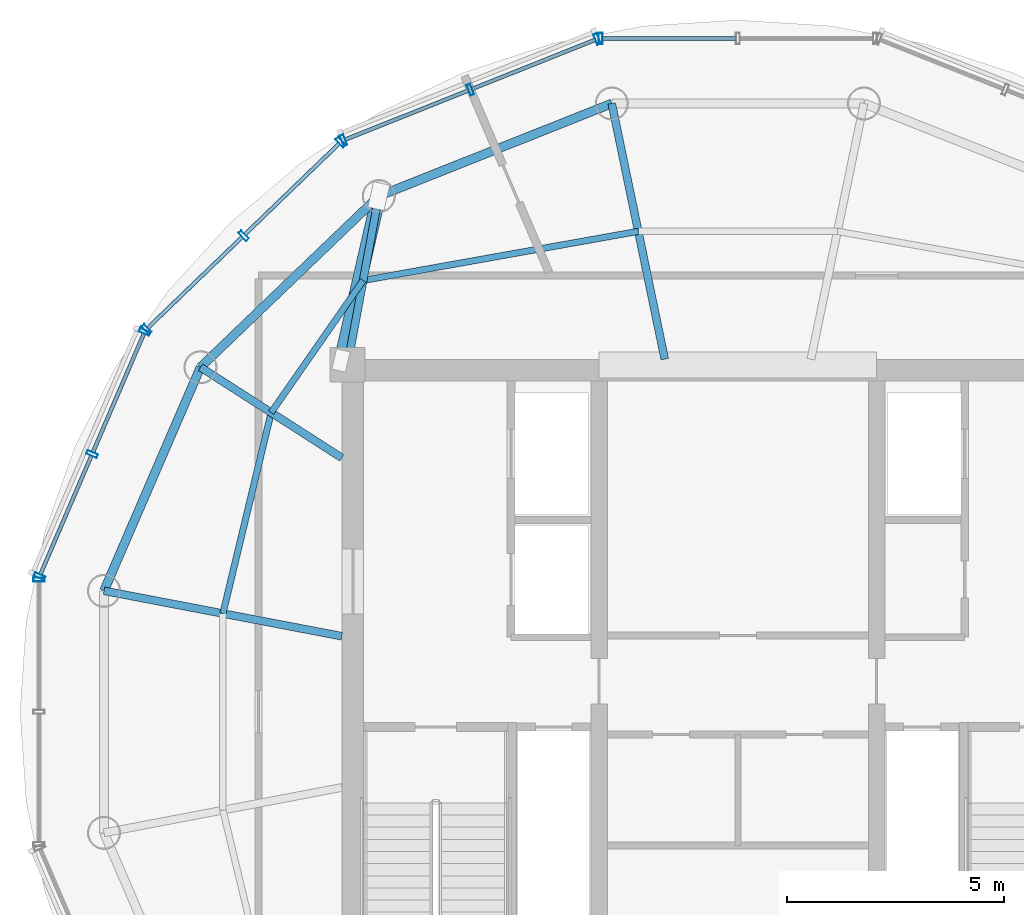
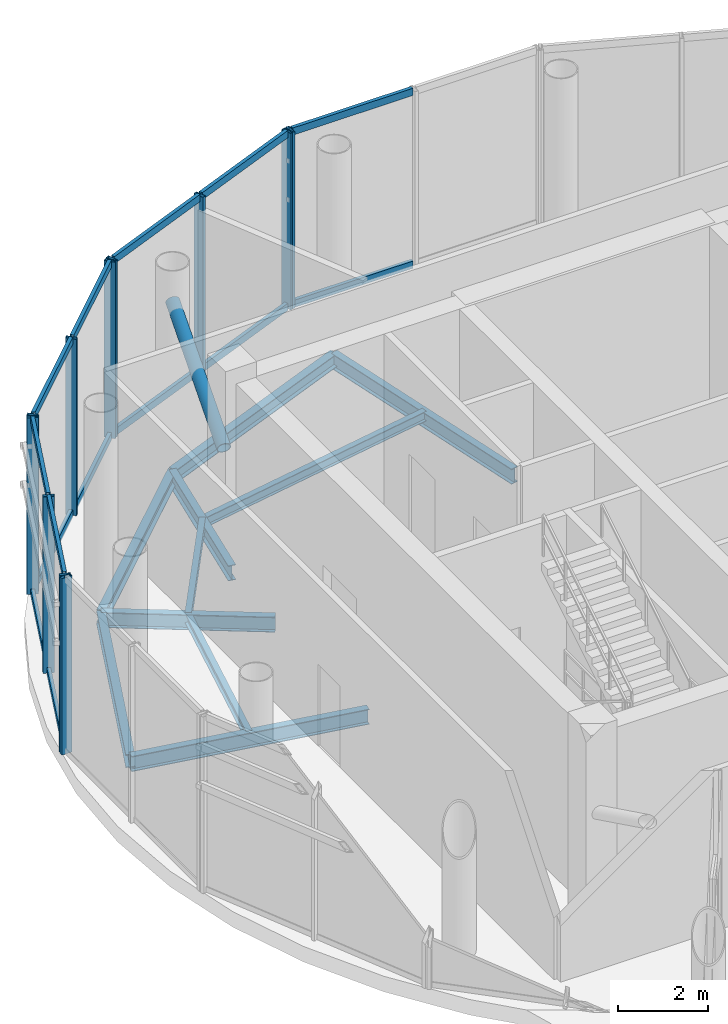
# One storey, part 6 of 14: 26 members, 10 beams, 5 elements without a shape of their own.
"""IFC4 building model written with IfcOpenShell, lengths in metres."""

from ifc_helpers import new_model, si_unit, direction, frame, origin, origin_2d, place, context, subcontext, project, spatial, hollow_rectangle, hollow_circle, i_section, extrude, source, transform, mapped, material, material_profile, profile_set, type_object, element, aggregate, save


model = new_model("IFC4")

# Units and contexts
model_context = context("Model", 3, precision=1e-05, world=origin(), true_north=direction((-0.2419218956, 0.970295726276)))
body_context = subcontext(model_context, "Body", "Model", "MODEL_VIEW")
ifc_project = project(units=[si_unit("LENGTHUNIT", "METRE"), si_unit("AREAUNIT", "SQUARE_METRE"), si_unit("VOLUMEUNIT", "CUBIC_METRE"), si_unit("PLANEANGLEUNIT", "RADIAN"), si_unit("MASSUNIT", "GRAM", prefix="KILO")], contexts=[model_context])

# Site, building, storey
site_placement = place(None, origin())
site = spatial("IfcSite", under=ifc_project, at=site_placement, CompositionType="ELEMENT")
building_placement = place(site_placement, origin())
building = spatial("IfcBuilding", under=site, at=building_placement, Name="Cobrevalo Terracotta Tower", CompositionType="ELEMENT")
storey_placement = place(building_placement, frame((0.0, 0.0, 326.89990234375)))
storey = spatial("IfcBuildingStorey", under=building, at=storey_placement, Name="L84", CompositionType="ELEMENT", Elevation=326.89990234375)

# Beams
ifc_material_1 = material(Name="Steel S355", Category="steel")
ifc_material_profile_1 = material_profile(ifc_material_1, i_section(OverallWidth=0.179931640625, OverallDepth=0.4130859375, WebThickness=0.009765625, FlangeThickness=0.01611328125, at=origin_2d()), Name="W 410x75")
ifc_profile_set_1 = profile_set([ifc_material_profile_1], Name="Steel S355")
beam_type_1 = type_object("IfcBeamType", Name="Structural Beam W 410x75 (Steel S355)", PredefinedType="BEAM", material=ifc_profile_set_1)
beam_1_placement = place(storey_placement, frame((35.09326171875, 40.8251953125, -0.62646484375), z_axis=(0.202919370173, -0.979195449953, 0.0), x_axis=(0.979195449953, 0.202919370173, 0.0)))
element("IfcBeam", 1, at=beam_1_placement, inside=storey, type_object=beam_type_1, Name="L84 radial floor girder 05", PredefinedType="BEAM", context=body_context, shape_type="SweptSolid", body=[
    extrude(i_section(OverallWidth=0.179931640625, OverallDepth=0.4130859375, WebThickness=0.009765625, FlangeThickness=0.01611328125, at=origin_2d()), origin(), (0.0, 0.0, 1.0), 6.0205078125),
])
beam_2_placement = place(storey_placement, frame((29.721923828125, 38.68994140625, -0.62646484375), z_axis=(-0.18247374128, -0.983210727028, 0.0), x_axis=(0.983210727028, -0.18247374128, 0.0)))
element("IfcBeam", 2, at=beam_2_placement, inside=storey, type_object=beam_type_1, Name="L84 radial floor girder 06", PredefinedType="BEAM", context=body_context, shape_type="SweptSolid", body=[
    extrude(i_section(OverallWidth=0.179931640625, OverallDepth=0.4130859375, WebThickness=0.009765625, FlangeThickness=0.01611328125, at=origin_2d()), origin(), (0.0, 0.0, 1.0), 3.956298828125),
])
beam_3_placement = place(storey_placement, frame((25.611083984375, 34.74462890625, -0.62646484375), z_axis=(0.841794646381, -0.539797900444, 0.0), x_axis=(0.539797900444, 0.841794646381, 0.0)))
element("IfcBeam", 3, at=beam_3_placement, inside=storey, type_object=beam_type_1, Name="L84 radial floor girder 07", PredefinedType="BEAM", context=body_context, shape_type="SweptSolid", body=[
    extrude(i_section(OverallWidth=0.179931640625, OverallDepth=0.4130859375, WebThickness=0.009765625, FlangeThickness=0.01611328125, at=origin_2d()), origin(), (0.0, 0.0, 1.0), 3.87158203125),
])
beam_4_placement = place(storey_placement, frame((23.38623046875, 29.58984375, -0.62646484375), z_axis=(0.982261932892, -0.187513986655, 0.0), x_axis=(0.187513986655, 0.982261932892, 0.0)))
element("IfcBeam", 4, at=beam_4_placement, inside=storey, type_object=beam_type_1, Name="L84 radial floor girder 08", PredefinedType="BEAM", context=body_context, shape_type="SweptSolid", body=[
    extrude(i_section(OverallWidth=0.179931640625, OverallDepth=0.4130859375, WebThickness=0.009765625, FlangeThickness=0.01611328125, at=origin_2d()), origin(), (0.0, 0.0, 1.0), 5.5830078125),
])
ifc_material_profile_2 = material_profile(ifc_material_1, i_section(OverallWidth=0.14794921875, OverallDepth=0.26611328125, WebThickness=0.007568359375, FlangeThickness=0.012939453125, at=origin_2d()), Name="W 250x44.8")
ifc_profile_set_2 = profile_set([ifc_material_profile_2], Name="Steel S355")
beam_type_2 = type_object("IfcBeamType", Name="Structural Joist W 250x44.8 (Steel S355)", PredefinedType="JOIST", material=ifc_profile_set_2)
beam_5_placement = place(storey_placement, frame((35.7041015625, 37.877685546875, -0.552978515625), z_axis=(-0.984430619707, -0.175773590117, 0.0), x_axis=(0.175773590117, -0.984430619707, 0.0)))
element("IfcBeam", 5, at=beam_5_placement, inside=storey, type_object=beam_type_2, Name="L84 circumferential secondary floor joist 05", PredefinedType="JOIST", context=body_context, shape_type="SweptSolid", body=[
    extrude(i_section(OverallWidth=0.14794921875, OverallDepth=0.26611328125, WebThickness=0.007568359375, FlangeThickness=0.012939453125, at=origin_2d()), origin(), (0.0, 0.0, 1.0), 6.443359375),
])
beam_6_placement = place(storey_placement, frame((29.361083984375, 36.7451171875, -0.552978515625), z_axis=(-0.571438375461, -0.82064497991, 0.0), x_axis=(0.82064497991, -0.571438375461, 0.0)))
element("IfcBeam", 6, at=beam_6_placement, inside=storey, type_object=beam_type_2, Name="L84 circumferential secondary floor joist 06", PredefinedType="JOIST", context=body_context, shape_type="SweptSolid", body=[
    extrude(i_section(OverallWidth=0.14794921875, OverallDepth=0.26611328125, WebThickness=0.007568359375, FlangeThickness=0.012939453125, at=origin_2d()), origin(), (0.0, 0.0, 1.0), 3.7109375),
])
beam_7_placement = place(storey_placement, frame((27.240478515625, 33.69970703125, -0.552978515625), z_axis=(-0.233434963284, -0.972372417295, 0.0), x_axis=(0.972372417295, -0.233434963284, 0.0)))
element("IfcBeam", 7, at=beam_7_placement, inside=storey, type_object=beam_type_2, Name="L84 circumferential secondary floor joist 07", PredefinedType="JOIST", context=body_context, shape_type="SweptSolid", body=[
    extrude(i_section(OverallWidth=0.14794921875, OverallDepth=0.26611328125, WebThickness=0.007568359375, FlangeThickness=0.012939453125, at=origin_2d()), origin(), (0.0, 0.0, 1.0), 4.764892578125),
])
ifc_material_profile_3 = material_profile(ifc_material_1, i_section(OverallWidth=0.205078125, OverallDepth=0.35400390625, WebThickness=0.009521484375, FlangeThickness=0.016845703125, at=origin_2d()), Name="W 360x79")
ifc_profile_set_3 = profile_set([ifc_material_profile_3], Name="Steel S355")
beam_type_3 = type_object("IfcBeamType", Name="Structural Spandrel W 360x79 (Steel S355)", PredefinedType="SPANDREL", material=ifc_profile_set_3)
beam_8_placement = place(storey_placement, frame((35.09326171875, 40.8251953125, -0.596923828125), z_axis=(-0.929266894942, -0.369409038824, 0.0), x_axis=(0.369409038824, -0.929266894942, 0.0)))
element("IfcBeam", 8, at=beam_8_placement, inside=storey, type_object=beam_type_3, Name="L84 perimeter ring spandrel 05", PredefinedType="SPANDREL", context=body_context, shape_type="SweptSolid", body=[
    extrude(i_section(OverallWidth=0.205078125, OverallDepth=0.35400390625, WebThickness=0.009521484375, FlangeThickness=0.016845703125, at=origin_2d()), origin(), (0.0, 0.0, 1.0), 5.7802734375),
])
beam_9_placement = place(storey_placement, frame((29.721923828125, 38.68994140625, -0.596923828125), z_axis=(-0.72148321486, -0.69243192494, 0.0), x_axis=(0.69243192494, -0.72148321486, 0.0)))
element("IfcBeam", 9, at=beam_9_placement, inside=storey, type_object=beam_type_3, Name="L84 perimeter ring spandrel 06", PredefinedType="SPANDREL", context=body_context, shape_type="SweptSolid", body=[
    extrude(i_section(OverallWidth=0.205078125, OverallDepth=0.35400390625, WebThickness=0.009521484375, FlangeThickness=0.016845703125, at=origin_2d()), origin(), (0.0, 0.0, 1.0), 5.69775390625),
])
beam_10_placement = place(storey_placement, frame((25.611083984375, 34.74462890625, -0.596923828125), z_axis=(-0.396274415101, -0.918132118999, 0.0), x_axis=(0.918132118999, -0.396274415101, 0.0)))
element("IfcBeam", 10, at=beam_10_placement, inside=storey, type_object=beam_type_3, Name="L84 perimeter ring spandrel 07", PredefinedType="SPANDREL", context=body_context, shape_type="SweptSolid", body=[
    extrude(i_section(OverallWidth=0.205078125, OverallDepth=0.35400390625, WebThickness=0.009521484375, FlangeThickness=0.016845703125, at=origin_2d()), origin(), (0.0, 0.0, 1.0), 5.614501953125),
])

# Member
ifc_material_profile_4 = material_profile(ifc_material_1, hollow_circle(Radius=0.162109375, WallThickness=0.013916015625, at=origin_2d()), Name="CHS 324x14")
ifc_profile_set_4 = profile_set([ifc_material_profile_4], Name="Steel S355")
member_type_1 = type_object("IfcMemberType", Name="Steel Brace CHS 324x14 (Steel S355)", PredefinedType="BRACE", material=ifc_profile_set_4)
shared_shape_1 = source(origin(), body_context, "Body", "SweptSolid", [
    extrude(hollow_circle(Radius=0.162109375, WallThickness=0.013916015625, at=origin_2d()), origin(), (0.0, 0.0, 1.0), 4.126708984375),
])
member_1_placement = place(storey_placement, frame((28.85009765625, 34.89990234375, 2.75), z_axis=(0.211267372013, 0.918430322917, 0.334442580227), x_axis=(-0.974548603832, 0.224176311794, 0.0)))
element("IfcMember", 11, at=member_1_placement, inside=storey, type_object=member_type_1, Name="L84 CROWN FRAME radial brace 02", PredefinedType="BRACE", context=body_context, shape_type="MappedRepresentation", body=[
    mapped(shared_shape_1, transform((0.0, 0.0, 0.0), scale=1.0)),
])

# Curtain wall, member
ifc_material_2 = material(Name="Anodized aluminium", Category="aluminium")
curtain_wall_type = type_object("IfcCurtainWallType", Name="Faceted glass-point crown structural glazing system CW-CR", PredefinedType="NOTDEFINED", material=ifc_material_2)
curtain_wall_1_placement = place(storey_placement, origin())
curtain_wall_1 = element("IfcCurtainWall", 12, at=curtain_wall_1_placement, inside=storey, type_object=curtain_wall_type, Name="L84 curtain wall CW-CRN-L84-S04", PredefinedType="NOTDEFINED")
ifc_material_profile_5 = material_profile(ifc_material_2, hollow_rectangle(XDim=0.090087890625, YDim=0.260009765625, WallThickness=0.006103515625, at=origin_2d()), Name="CWM 90x260")
ifc_profile_set_5 = profile_set([ifc_material_profile_5], Name="Anodized aluminium")
member_type_2 = type_object("IfcMemberType", Name="Crown structural glass mullion 90x260", PredefinedType="MULLION", material=ifc_profile_set_5)
shared_shape_2 = source(origin(), body_context, "Body", "SweptSolid", [
    extrude(hollow_rectangle(XDim=0.090087890625, YDim=0.260009765625, WallThickness=0.006103515625, at=origin_2d()), origin(), (0.0, 0.0, 1.0), 4.780029296875),
])
member_2_placement = place(storey_placement, frame((34.834716796875, 42.325927734375, 0.0), z_axis=(0.0, 0.0, 1.0), x_axis=(-1.0, 0.0, 0.0)))
member_2 = element("IfcMember", 13, at=member_2_placement, type_object=member_type_2, Name="CW-CRN-L84-S04 vertical mullion 03", PredefinedType="MULLION", context=body_context, shape_type="MappedRepresentation", body=[
    mapped(shared_shape_2, transform((0.0, 0.0, 0.0), scale=1.0)),
])

# Curtain wall, members
curtain_wall_2_placement = place(storey_placement, origin())
curtain_wall_2 = element("IfcCurtainWall", 14, at=curtain_wall_2_placement, inside=storey, type_object=curtain_wall_type, Name="L84 curtain wall CW-CRN-L84-S05", PredefinedType="NOTDEFINED")
member_3_placement = place(storey_placement, frame((34.757568359375, 42.31103515625, 0.0), z_axis=(0.0, 0.0, 1.0), x_axis=(-0.928770743095, -0.370654700187, 0.0)))
member_3 = element("IfcMember", 15, at=member_3_placement, type_object=member_type_2, Name="CW-CRN-L84-S05 vertical mullion 01", PredefinedType="MULLION", context=body_context, shape_type="MappedRepresentation", body=[
    mapped(shared_shape_2, transform((0.0, 0.0, 0.0), scale=1.0)),
])
member_4_placement = place(storey_placement, frame((31.833251953125, 41.14404296875, 0.0), z_axis=(0.0, 0.0, 1.0), x_axis=(-0.928770743095, -0.370654700187, 0.0)))
member_4 = element("IfcMember", 16, at=member_4_placement, type_object=member_type_2, Name="CW-CRN-L84-S05 vertical mullion 02", PredefinedType="MULLION", context=body_context, shape_type="MappedRepresentation", body=[
    mapped(shared_shape_2, transform((0.0, 0.0, 0.0), scale=1.0)),
])
member_5_placement = place(storey_placement, frame((28.9091796875, 39.97705078125, 0.0), z_axis=(0.0, 0.0, 1.0), x_axis=(-0.928770743095, -0.370654700187, 0.0)))
member_5 = element("IfcMember", 17, at=member_5_placement, type_object=member_type_2, Name="CW-CRN-L84-S05 vertical mullion 03", PredefinedType="MULLION", context=body_context, shape_type="MappedRepresentation", body=[
    mapped(shared_shape_2, transform((0.0, 0.0, 0.0), scale=1.0)),
])

curtain_wall_3_placement = place(storey_placement, origin())
curtain_wall_3 = element("IfcCurtainWall", 18, at=curtain_wall_3_placement, inside=storey, type_object=curtain_wall_type, Name="L84 curtain wall CW-CRN-L84-S06", PredefinedType="NOTDEFINED")
member_6_placement = place(storey_placement, frame((28.84326171875, 39.934326171875, 0.0), z_axis=(0.0, 0.0, 1.0), x_axis=(-0.72013951191, -0.693829289801, 0.0)))
member_6 = element("IfcMember", 19, at=member_6_placement, type_object=member_type_2, Name="CW-CRN-L84-S06 vertical mullion 01", PredefinedType="MULLION", context=body_context, shape_type="MappedRepresentation", body=[
    mapped(shared_shape_2, transform((0.0, 0.0, 0.0), scale=1.0)),
])
member_7_placement = place(storey_placement, frame((26.60546875, 37.7783203125, 0.0), z_axis=(0.0, 0.0, 1.0), x_axis=(-0.72013951191, -0.693829289801, 0.0)))
member_7 = element("IfcMember", 20, at=member_7_placement, type_object=member_type_2, Name="CW-CRN-L84-S06 vertical mullion 02", PredefinedType="MULLION", context=body_context, shape_type="MappedRepresentation", body=[
    mapped(shared_shape_2, transform((0.0, 0.0, 0.0), scale=1.0)),
])
member_8_placement = place(storey_placement, frame((24.36767578125, 35.622314453125, 0.0), z_axis=(0.0, 0.0, 1.0), x_axis=(-0.72013951191, -0.693829289801, 0.0)))
member_8 = element("IfcMember", 21, at=member_8_placement, type_object=member_type_2, Name="CW-CRN-L84-S06 vertical mullion 03", PredefinedType="MULLION", context=body_context, shape_type="MappedRepresentation", body=[
    mapped(shared_shape_2, transform((0.0, 0.0, 0.0), scale=1.0)),
])

curtain_wall_4_placement = place(storey_placement, origin())
curtain_wall_4 = element("IfcCurtainWall", 22, at=curtain_wall_4_placement, inside=storey, type_object=curtain_wall_type, Name="L84 curtain wall CW-CRN-L84-S07", PredefinedType="NOTDEFINED")
member_9_placement = place(storey_placement, frame((24.3232421875, 35.557861328125, 0.0), z_axis=(0.0, 0.0, 1.0), x_axis=(-0.394968347643, -0.918694728602, 0.0)))
member_9 = element("IfcMember", 23, at=member_9_placement, type_object=member_type_2, Name="CW-CRN-L84-S07 vertical mullion 01", PredefinedType="MULLION", context=body_context, shape_type="MappedRepresentation", body=[
    mapped(shared_shape_2, transform((0.0, 0.0, 0.0), scale=1.0)),
])
member_10_placement = place(storey_placement, frame((23.1123046875, 32.741455078125, 0.0), z_axis=(0.0, 0.0, 1.0), x_axis=(-0.394968347643, -0.918694728602, 0.0)))
member_10 = element("IfcMember", 24, at=member_10_placement, type_object=member_type_2, Name="CW-CRN-L84-S07 vertical mullion 02", PredefinedType="MULLION", context=body_context, shape_type="MappedRepresentation", body=[
    mapped(shared_shape_2, transform((0.0, 0.0, 0.0), scale=1.0)),
])
member_11_placement = place(storey_placement, frame((21.901611328125, 29.925048828125, 0.0), z_axis=(0.0, 0.0, 1.0), x_axis=(-0.394968347643, -0.918694728602, 0.0)))
member_11 = element("IfcMember", 25, at=member_11_placement, type_object=member_type_2, Name="CW-CRN-L84-S07 vertical mullion 03", PredefinedType="MULLION", context=body_context, shape_type="MappedRepresentation", body=[
    mapped(shared_shape_2, transform((0.0, 0.0, 0.0), scale=1.0)),
])

# Curtain wall, member
curtain_wall_5_placement = place(storey_placement, origin())
curtain_wall_5 = element("IfcCurtainWall", 26, at=curtain_wall_5_placement, inside=storey, type_object=curtain_wall_type, Name="L84 curtain wall CW-CRN-L84-S08", PredefinedType="NOTDEFINED")
member_12_placement = place(storey_placement, frame((21.8857421875, 29.848388671875, 0.0), z_axis=(0.0, 0.0, 1.0), x_axis=(0.0, -1.0, 0.0)))
member_12 = element("IfcMember", 27, at=member_12_placement, type_object=member_type_2, Name="CW-CRN-L84-S08 vertical mullion 01", PredefinedType="MULLION", context=body_context, shape_type="MappedRepresentation", body=[
    mapped(shared_shape_2, transform((0.0, 0.0, 0.0), scale=1.0)),
])
aggregate(curtain_wall_5, [member_12])

# Member
ifc_material_profile_6 = material_profile(ifc_material_2, hollow_rectangle(XDim=0.090087890625, YDim=0.195068359375, WallThickness=0.005615234375, at=origin_2d()), Name="CWT 90x195")
ifc_profile_set_6 = profile_set([ifc_material_profile_6], Name="Anodized aluminium")
member_type_3 = type_object("IfcMemberType", Name="Crown structural aluminium transom 90x195", PredefinedType="USERDEFINED", material=ifc_profile_set_6)
shared_shape_3 = source(origin(), body_context, "Body", "SweptSolid", [
    extrude(hollow_rectangle(XDim=0.090087890625, YDim=0.195068359375, WallThickness=0.005615234375, at=origin_2d()), origin(), (0.0, 0.0, 1.0), 2.98583984375),
])
member_13_placement = place(storey_placement, frame((23.096435546875, 32.704833984375, 0.050048828125), z_axis=(-0.394925619427, -0.918713097284, 0.0), x_axis=(0.918713097284, -0.394925619427, 0.0)))
member_13 = element("IfcMember", 28, at=member_13_placement, type_object=member_type_3, Name="CW-CRN-L84-S07 transom B02-T1", ObjectType="TRANSOM", PredefinedType="USERDEFINED", context=body_context, shape_type="MappedRepresentation", body=[
    mapped(shared_shape_3, transform((0.0, 0.0, 0.0), scale=1.0)),
])

member_14_placement = place(storey_placement, frame((23.096435546875, 32.704833984375, 4.72998046875), z_axis=(-0.394925619427, -0.918713097284, 0.0), x_axis=(0.918713097284, -0.394925619427, 0.0)))
member_14 = element("IfcMember", 29, at=member_14_placement, type_object=member_type_3, Name="CW-CRN-L84-S07 transom B02-T2", ObjectType="TRANSOM", PredefinedType="USERDEFINED", context=body_context, shape_type="MappedRepresentation", body=[
    mapped(shared_shape_3, transform((0.0, 0.0, 0.0), scale=1.0)),
])

shared_shape_4 = source(origin(), body_context, "Body", "SweptSolid", [
    extrude(hollow_rectangle(XDim=0.090087890625, YDim=0.195068359375, WallThickness=0.005615234375, at=origin_2d()), origin(), (0.0, 0.0, 1.0), 2.985595703125),
])
member_15_placement = place(storey_placement, frame((24.307373046875, 35.521240234375, 0.050048828125), z_axis=(-0.39495528775, -0.918700343245, 0.0), x_axis=(0.918700343245, -0.39495528775, 0.0)))
member_15 = element("IfcMember", 30, at=member_15_placement, type_object=member_type_3, Name="CW-CRN-L84-S07 transom B01-T1", ObjectType="TRANSOM", PredefinedType="USERDEFINED", context=body_context, shape_type="MappedRepresentation", body=[
    mapped(shared_shape_4, transform((0.0, 0.0, 0.0), scale=1.0)),
])

member_16_placement = place(storey_placement, frame((24.307373046875, 35.521240234375, 4.72998046875), z_axis=(-0.39495528775, -0.918700343245, 0.0), x_axis=(0.918700343245, -0.39495528775, 0.0)))
member_16 = element("IfcMember", 31, at=member_16_placement, type_object=member_type_3, Name="CW-CRN-L84-S07 transom B01-T2", ObjectType="TRANSOM", PredefinedType="USERDEFINED", context=body_context, shape_type="MappedRepresentation", body=[
    mapped(shared_shape_4, transform((0.0, 0.0, 0.0), scale=1.0)),
])

aggregate(curtain_wall_4, [member_9, member_10, member_11, member_15, member_16, member_13, member_14])

shared_shape_5 = source(origin(), body_context, "Body", "SweptSolid", [
    extrude(hollow_rectangle(XDim=0.090087890625, YDim=0.195068359375, WallThickness=0.005615234375, at=origin_2d()), origin(), (0.0, 0.0, 1.0), 3.027587890625),
])
member_17_placement = place(storey_placement, frame((28.814453125, 39.90673828125, 0.050048828125), z_axis=(-0.720129171854, -0.693840021795, 0.0), x_axis=(0.693840021795, -0.720129171854, 0.0)))
member_17 = element("IfcMember", 32, at=member_17_placement, type_object=member_type_3, Name="CW-CRN-L84-S06 transom B01-T1", ObjectType="TRANSOM", PredefinedType="USERDEFINED", context=body_context, shape_type="MappedRepresentation", body=[
    mapped(shared_shape_5, transform((0.0, 0.0, 0.0), scale=1.0)),
])

member_18_placement = place(storey_placement, frame((28.814453125, 39.90673828125, 4.72998046875), z_axis=(-0.720129171854, -0.693840021795, 0.0), x_axis=(0.693840021795, -0.720129171854, 0.0)))
member_18 = element("IfcMember", 33, at=member_18_placement, type_object=member_type_3, Name="CW-CRN-L84-S06 transom B01-T2", ObjectType="TRANSOM", PredefinedType="USERDEFINED", context=body_context, shape_type="MappedRepresentation", body=[
    mapped(shared_shape_5, transform((0.0, 0.0, 0.0), scale=1.0)),
])

member_19_placement = place(storey_placement, frame((26.57666015625, 37.750732421875, 0.050048828125), z_axis=(-0.720129171854, -0.693840021795, 0.0), x_axis=(0.693840021795, -0.720129171854, 0.0)))
member_19 = element("IfcMember", 34, at=member_19_placement, type_object=member_type_3, Name="CW-CRN-L84-S06 transom B02-T1", ObjectType="TRANSOM", PredefinedType="USERDEFINED", context=body_context, shape_type="MappedRepresentation", body=[
    mapped(shared_shape_5, transform((0.0, 0.0, 0.0), scale=1.0)),
])

member_20_placement = place(storey_placement, frame((26.57666015625, 37.750732421875, 4.72998046875), z_axis=(-0.720129171854, -0.693840021795, 0.0), x_axis=(0.693840021795, -0.720129171854, 0.0)))
member_20 = element("IfcMember", 35, at=member_20_placement, type_object=member_type_3, Name="CW-CRN-L84-S06 transom B02-T2", ObjectType="TRANSOM", PredefinedType="USERDEFINED", context=body_context, shape_type="MappedRepresentation", body=[
    mapped(shared_shape_5, transform((0.0, 0.0, 0.0), scale=1.0)),
])

aggregate(curtain_wall_3, [member_6, member_7, member_8, member_17, member_18, member_19, member_20])

shared_shape_6 = source(origin(), body_context, "Body", "SweptSolid", [
    extrude(hollow_rectangle(XDim=0.090087890625, YDim=0.195068359375, WallThickness=0.005615234375, at=origin_2d()), origin(), (0.0, 0.0, 1.0), 3.068359375),
])
member_21_placement = place(storey_placement, frame((31.796142578125, 41.129150390625, 0.050048828125), z_axis=(-0.928756274811, -0.370690952141, 0.0), x_axis=(0.370690952141, -0.928756274811, 0.0)))
member_21 = element("IfcMember", 36, at=member_21_placement, type_object=member_type_3, Name="CW-CRN-L84-S05 transom B02-T1", ObjectType="TRANSOM", PredefinedType="USERDEFINED", context=body_context, shape_type="MappedRepresentation", body=[
    mapped(shared_shape_6, transform((0.0, 0.0, 0.0), scale=1.0)),
])

member_22_placement = place(storey_placement, frame((31.796142578125, 41.129150390625, 4.72998046875), z_axis=(-0.928756274811, -0.370690952141, 0.0), x_axis=(0.370690952141, -0.928756274811, 0.0)))
member_22 = element("IfcMember", 37, at=member_22_placement, type_object=member_type_3, Name="CW-CRN-L84-S05 transom B02-T2", ObjectType="TRANSOM", PredefinedType="USERDEFINED", context=body_context, shape_type="MappedRepresentation", body=[
    mapped(shared_shape_6, transform((0.0, 0.0, 0.0), scale=1.0)),
])

shared_shape_7 = source(origin(), body_context, "Body", "SweptSolid", [
    extrude(hollow_rectangle(XDim=0.090087890625, YDim=0.195068359375, WallThickness=0.005615234375, at=origin_2d()), origin(), (0.0, 0.0, 1.0), 3.068603515625),
])
member_23_placement = place(storey_placement, frame((34.720458984375, 42.296142578125, 0.050048828125), z_axis=(-0.928794593829, -0.370594930448, 0.0), x_axis=(0.370594930448, -0.928794593829, 0.0)))
member_23 = element("IfcMember", 38, at=member_23_placement, type_object=member_type_3, Name="CW-CRN-L84-S05 transom B01-T1", ObjectType="TRANSOM", PredefinedType="USERDEFINED", context=body_context, shape_type="MappedRepresentation", body=[
    mapped(shared_shape_7, transform((0.0, 0.0, 0.0), scale=1.0)),
])

member_24_placement = place(storey_placement, frame((34.720458984375, 42.296142578125, 4.72998046875), z_axis=(-0.928794593829, -0.370594930448, 0.0), x_axis=(0.370594930448, -0.928794593829, 0.0)))
member_24 = element("IfcMember", 39, at=member_24_placement, type_object=member_type_3, Name="CW-CRN-L84-S05 transom B01-T2", ObjectType="TRANSOM", PredefinedType="USERDEFINED", context=body_context, shape_type="MappedRepresentation", body=[
    mapped(shared_shape_7, transform((0.0, 0.0, 0.0), scale=1.0)),
])

aggregate(curtain_wall_2, [member_3, member_4, member_5, member_23, member_24, member_21, member_22])

shared_shape_8 = source(origin(), body_context, "Body", "SweptSolid", [
    extrude(hollow_rectangle(XDim=0.090087890625, YDim=0.195068359375, WallThickness=0.005615234375, at=origin_2d()), origin(), (0.0, 0.0, 1.0), 3.085205078125),
])
member_25_placement = place(storey_placement, frame((37.9599609375, 42.325927734375, 0.050048828125), z_axis=(-1.0, 0.0, 0.0), x_axis=(0.0, -1.0, 0.0)))
member_25 = element("IfcMember", 40, at=member_25_placement, type_object=member_type_3, Name="CW-CRN-L84-S04 transom B02-T1", ObjectType="TRANSOM", PredefinedType="USERDEFINED", context=body_context, shape_type="MappedRepresentation", body=[
    mapped(shared_shape_8, transform((0.0, 0.0, 0.0), scale=1.0)),
])

member_26_placement = place(storey_placement, frame((37.9599609375, 42.325927734375, 4.72998046875), z_axis=(-1.0, 0.0, 0.0), x_axis=(0.0, -1.0, 0.0)))
member_26 = element("IfcMember", 41, at=member_26_placement, type_object=member_type_3, Name="CW-CRN-L84-S04 transom B02-T2", ObjectType="TRANSOM", PredefinedType="USERDEFINED", context=body_context, shape_type="MappedRepresentation", body=[
    mapped(shared_shape_8, transform((0.0, 0.0, 0.0), scale=1.0)),
])

aggregate(curtain_wall_1, [member_2, member_25, member_26])

save(model, "model.ifc")
